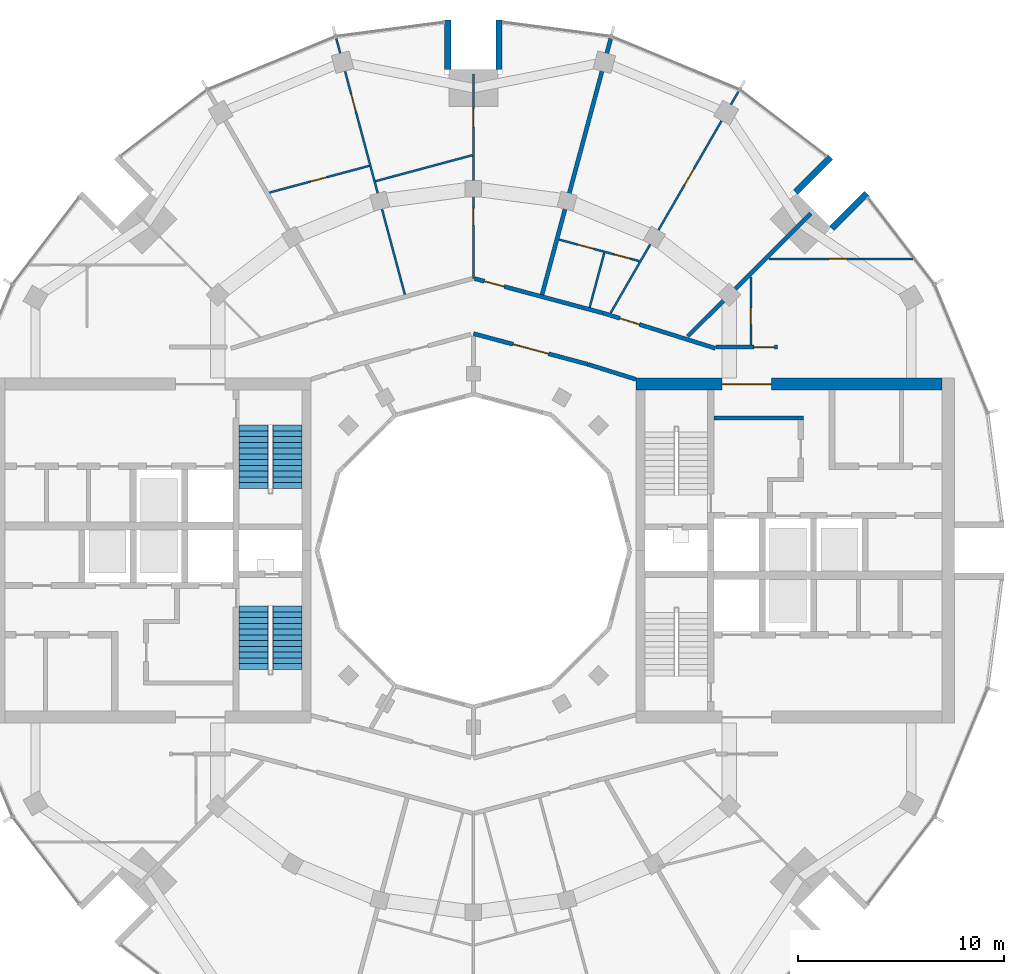
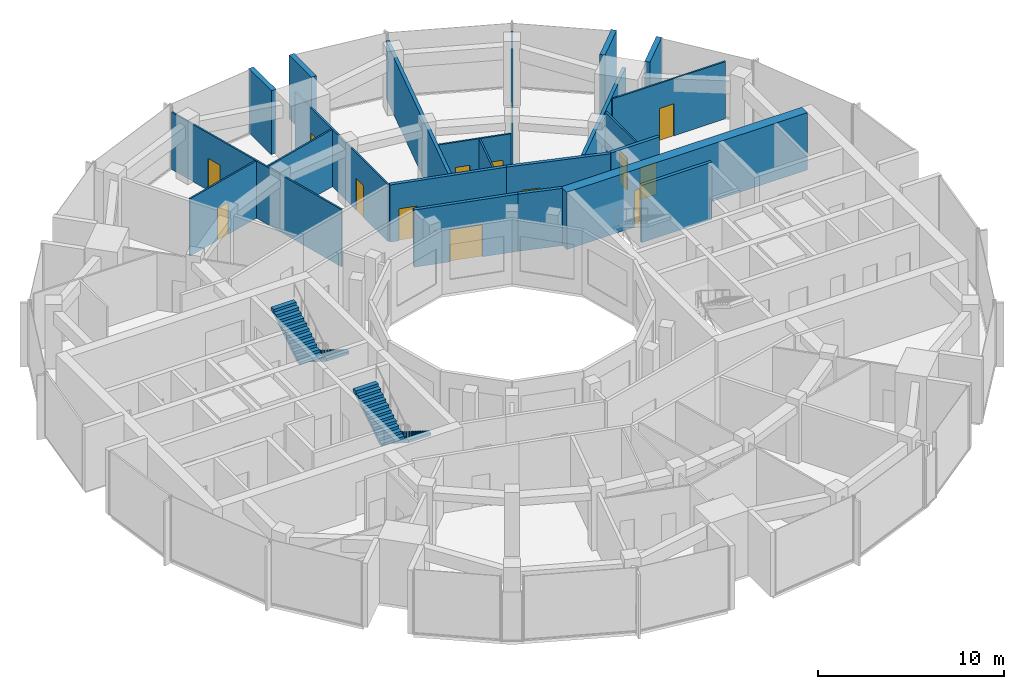
# One storey, part 12 of 15: 22 walls, 14 doors, 4 stair flights, 14 openings, 2 elements without a shape of their own.
"""IFC4 building model written with IfcOpenShell, lengths in metres."""

from ifc_helpers import new_model, si_unit, direction, frame, frame_2d, origin, place, context, subcontext, project, spatial, polyline, rectangle, outline, extrude, material, layer, layer_set, type_object, element, fill, aggregate, save


model = new_model("IFC4")

# Units and contexts
model_context = context("Model", 3, precision=1e-05, world=origin(), true_north=direction((0.0, 1.0)))
body_context = subcontext(model_context, "Body", "Model", "MODEL_VIEW")
ifc_project = project(units=[si_unit("LENGTHUNIT", "METRE"), si_unit("AREAUNIT", "SQUARE_METRE"), si_unit("VOLUMEUNIT", "CUBIC_METRE"), si_unit("PLANEANGLEUNIT", "RADIAN"), si_unit("MASSUNIT", "GRAM", prefix="KILO")], contexts=[model_context])

# Site, building, storey
site_placement = place(None, origin())
site = spatial("IfcSite", under=ifc_project, at=site_placement, CompositionType="ELEMENT")
building_placement = place(site_placement, origin())
building = spatial("IfcBuilding", under=site, at=building_placement, Name="Torre Brocal", CompositionType="ELEMENT")
storey_placement = place(building_placement, frame((0.0, 0.0, 266.699951171875)))
storey = spatial("IfcBuildingStorey", under=building, at=storey_placement, Name="L61", CompositionType="ELEMENT", Elevation=266.699951171875)

# Wall
ifc_material_1 = material(Name="Concrete C60", Category="concrete")
ifc_layer_1 = layer(ifc_material_1, 0.199951171875)
ifc_layer_set_1 = layer_set([ifc_layer_1], Name="Concrete C60")
wall_type_1 = type_object("IfcWallType", Name="CORE WALL 200 C60 UNDER 450 SLAB", PredefinedType="SHEAR", material=ifc_layer_set_1)
wall_1_placement = place(storey_placement, frame((91.699951171875, 81.449951171875, 0.0), z_axis=(0.0, 0.0, 1.0), x_axis=(1.0, 0.0, 0.0)))
element("IfcWall", 1, at=wall_1_placement, inside=storey, type_object=wall_type_1, Name="Wall CW200-60-S450", PredefinedType="SHEAR", context=body_context, shape_type="SweptSolid", body=[
    extrude(rectangle(XDim=4.35009765625, YDim=0.199951171875, at=frame_2d((2.175048828125, 0.0))), origin(), (0.0, 0.0, 1.0), 3.75),
])

# Wall, opening, door
ifc_material_2 = material(Name="Concrete C60", Category="concrete")
ifc_layer_2 = layer(ifc_material_2, 0.60009765625)
ifc_layer_set_2 = layer_set([ifc_layer_2], Name="Concrete C60")
wall_type_2 = type_object("IfcWallType", Name="CORE WALL 600 C60 UNDER 450 SLAB", PredefinedType="SHEAR", material=ifc_layer_set_2)
wall_2_placement = place(storey_placement, frame((87.89990234375, 83.10009765625, 0.0), z_axis=(0.0, 0.0, 1.0), x_axis=(1.0, 0.0, 0.0)))
wall_2 = element("IfcWall", 2, at=wall_2_placement, inside=storey, type_object=wall_type_2, Name="Wall CW600-60-S450", PredefinedType="SHEAR", context=body_context, shape_type="SweptSolid", body=[
    extrude(rectangle(XDim=14.900146484375, YDim=0.60009765625, at=frame_2d((7.4501953125, 0.0))), origin(), (0.0, 0.0, 1.0), 3.75),
])
opening_1_placement = place(wall_2_placement, frame((4.199951171875, 0.0, 0.0)))
opening_1 = element("IfcOpeningElement", 3, at=opening_1_placement, cuts=wall_2, Name="Opening E-D34", PredefinedType="OPENING", context=body_context, shape_type="SweptSolid", body=[
    extrude(rectangle(XDim=2.39990234375, YDim=2.39990234375, at=frame_2d((1.199951171875, 1.199951171875))), frame((0.0, 0.31005859375, 0.0), z_axis=(0.0, -1.0, 0.0), x_axis=(1.0, 0.0, 0.0)), (0.0, 0.0, 1.0), 0.6201171875),
])
ifc_material_3 = material(Name="Steel A653", Category="steel")
door_type_1 = type_object("IfcDoorType", Name="DOUBLE FIRE DOOR FD90 2400X2400", OperationType="DOUBLE_DOOR_SINGLE_SWING", PredefinedType="DOOR", material=ifc_material_3)
door_1_placement = place(opening_1_placement, frame((2.39990234375, 0.0, 0.0), z_axis=(0.0, 0.0, 1.0), x_axis=(-1.0, 0.0, 0.0)))
door_1 = element("IfcDoor", 4, at=door_1_placement, inside=storey, type_object=door_type_1, Name="Door E-D34", OperationType="DOUBLE_DOOR_SINGLE_SWING", OverallHeight=2.39990234375, OverallWidth=2.39990234375, PredefinedType="DOOR", context=body_context, shape_type="SweptSolid", body=[
    extrude(rectangle(XDim=2.39990234375, YDim=2.39990234375, at=frame_2d((1.199951171875, 1.199951171875))), frame((0.0, 0.02490234375, 0.0), z_axis=(0.0, -1.0, 0.0), x_axis=(1.0, 0.0, 0.0)), (0.0, 0.0, 1.0), 0.050048828125),
])
fill(opening_1, door_1)

# Walls
ifc_material_4 = material(Name="Concrete C60", Category="concrete")
ifc_layer_3 = layer(ifc_material_4, 0.300048828125)
ifc_layer_set_3 = layer_set([ifc_layer_3], Name="Concrete C60")
wall_type_3 = type_object("IfcWallType", Name="NOTCH RETURN WALL 300 C60", PredefinedType="NOTDEFINED", material=ifc_layer_set_3)
for number, where, z_axis, x_axis, name in (
    (5, (97.43017578125, 90.662353515625, 0.0), (0.0, 0.0, 1.0), (0.707106781187, 0.707106781187, 0.0), "NOTCH RETURN WALL"),
    (6, (95.662353515625, 92.43017578125, 0.0), (0.0, 0.0, 1.0), (0.707106781187, 0.707106781187, 0.0), "NOTCH RETURN WALL"),
    (7, (81.25, 98.39990234375, 0.0), (0.0, 0.0, 1.0), (0.0, 1.0, 0.0), "NOTCH RETURN WALL"),
    (8, (78.75, 98.39990234375, 0.0), (0.0, 0.0, 1.0), (0.0, 1.0, 0.0), "NOTCH RETURN WALL"),
):
    element("IfcWall", number, at=place(storey_placement, frame(where, z_axis=z_axis, x_axis=x_axis)), inside=storey, type_object=wall_type_3, Name=name, PredefinedType="NOTDEFINED", context=body_context, shape_type="SweptSolid", body=[
        extrude(rectangle(XDim=2.415771484375, YDim=0.300048828125, at=frame_2d((1.2080078125, 0.0))), origin(), (0.0, 0.0, 1.0), 4.199951171875),
    ])

# Wall, opening, door
ifc_material_5 = material(Name="Gypsum board", Category="Gypsum")
ifc_layer_4 = layer(ifc_material_5, 0.10009765625)
ifc_layer_set_4 = layer_set([ifc_layer_4], Name="Gypsum board")
wall_type_4 = type_object("IfcWallType", Name="PARTITION 100", PredefinedType="PARTITIONING", material=ifc_layer_set_4)
wall_3_placement = place(storey_placement, frame((70.076904296875, 92.419921875, 0.0), z_axis=(0.0, 0.0, 1.0), x_axis=(0.965977307762, 0.258626837138, 0.0)))
wall_3 = element("IfcWall", 9, at=wall_3_placement, inside=storey, type_object=wall_type_4, Name="BATHROOM WALL", PredefinedType="PARTITIONING", context=body_context, shape_type="SweptSolid", body=[
    extrude(rectangle(XDim=5.02685546875, YDim=0.10009765625, at=frame_2d((2.513427734375, 0.0))), origin(), (0.0, 0.0, 1.0), 3.75),
])
opening_2_placement = place(wall_3_placement, frame((2.078369140625, 0.0, 0.0)))
opening_2 = element("IfcOpeningElement", 10, at=opening_2_placement, cuts=wall_3, Name="Opening B05-D12", PredefinedType="OPENING", context=body_context, shape_type="SweptSolid", body=[
    extrude(rectangle(XDim=0.800048828125, YDim=2.10009765625, at=frame_2d((0.39990234375, 1.050048828125))), frame((0.0, 0.06005859375, 0.0), z_axis=(0.0, -1.0, 0.0), x_axis=(1.0, 0.0, 0.0)), (0.0, 0.0, 1.0), 0.1201171875),
])
ifc_material_6 = material(Name="Timber", Category="wood")
door_type_2 = type_object("IfcDoorType", Name="BATHROOM DOOR 800X2100", OperationType="SINGLE_SWING_LEFT", PredefinedType="DOOR", material=ifc_material_6)
door_2_placement = place(opening_2_placement, frame((0.800048828125, 0.0, 0.0), z_axis=(0.0, 0.0, 1.0), x_axis=(-1.0, 0.0, 0.0)))
door_2 = element("IfcDoor", 11, at=door_2_placement, inside=storey, type_object=door_type_2, Name="B05-D12", OperationType="SINGLE_SWING_RIGHT", OverallHeight=2.10009765625, OverallWidth=0.800048828125, PredefinedType="DOOR", context=body_context, shape_type="SweptSolid", body=[
    extrude(rectangle(XDim=0.800048828125, YDim=2.10009765625, at=frame_2d((0.39990234375, 1.050048828125))), frame((0.0, 0.02490234375, 0.0), z_axis=(0.0, -1.0, 0.0), x_axis=(1.0, 0.0, 0.0)), (0.0, 0.0, 1.0), 0.050048828125),
])
fill(opening_2, door_2)

wall_4_placement = place(storey_placement, frame((73.32470703125, 99.919677734375, 0.0), z_axis=(0.0, 0.0, 1.0), x_axis=(0.258732932804, -0.965948895896, 0.0)))
wall_4 = element("IfcWall", 12, at=wall_4_placement, inside=storey, type_object=wall_type_4, Name="BATHROOM WALL", PredefinedType="PARTITIONING", context=body_context, shape_type="SweptSolid", body=[
    extrude(rectangle(XDim=12.90380859375, YDim=0.10009765625, at=frame_2d((6.451904296875, 0.0))), origin(), (0.0, 0.0, 1.0), 3.75),
])
opening_3_placement = place(wall_4_placement, frame((2.787109375, 0.0, 0.0)))
opening_3 = element("IfcOpeningElement", 13, at=opening_3_placement, cuts=wall_4, Name="Opening B05-D11", PredefinedType="OPENING", context=body_context, shape_type="SweptSolid", body=[
    extrude(rectangle(XDim=0.89990234375, YDim=2.10009765625, at=frame_2d((0.449951171875, 1.050048828125))), frame((0.0, 0.06005859375, 0.0), z_axis=(0.0, -1.0, 0.0), x_axis=(1.0, 0.0, 0.0)), (0.0, 0.0, 1.0), 0.1201171875),
])
ifc_material_7 = material(Name="Timber", Category="wood")
door_type_3 = type_object("IfcDoorType", Name="ROOM DOOR 900X2100", OperationType="SINGLE_SWING_LEFT", PredefinedType="DOOR", material=ifc_material_7)
door_3_placement = place(opening_3_placement, frame((0.89990234375, 0.0, 0.0), z_axis=(0.0, 0.0, 1.0), x_axis=(-1.0, 0.0, 0.0)))
door_3 = element("IfcDoor", 14, at=door_3_placement, inside=storey, type_object=door_type_3, Name="B05-D11", OperationType="SINGLE_SWING_RIGHT", OverallHeight=2.10009765625, OverallWidth=0.89990234375, PredefinedType="DOOR", context=body_context, shape_type="SweptSolid", body=[
    extrude(rectangle(XDim=0.89990234375, YDim=2.10009765625, at=frame_2d((0.449951171875, 1.050048828125))), frame((0.0, 0.02490234375, 0.0), z_axis=(0.0, -1.0, 0.0), x_axis=(1.0, 0.0, 0.0)), (0.0, 0.0, 1.0), 0.050048828125),
])
fill(opening_3, door_3)

# Wall
wall_5_placement = place(storey_placement, frame((75.236328125, 92.972900390625, 0.0), z_axis=(0.0, 0.0, 1.0), x_axis=(0.965831212389, 0.259171891173, 0.0)))
element("IfcWall", 15, at=wall_5_placement, inside=storey, type_object=wall_type_4, Name="BATHROOM WALL", PredefinedType="PARTITIONING", context=body_context, shape_type="SweptSolid", body=[
    extrude(rectangle(XDim=4.8720703125, YDim=0.10009765625, at=frame_2d((2.43603515625, 0.0))), origin(), (0.0, 0.0, 1.0), 3.75),
])

# Wall, openings, doors
wall_6_placement = place(storey_placement, frame((80.0, 88.24609375, 0.0), z_axis=(0.0, 0.0, 1.0), x_axis=(0.0, 1.0, 0.0)))
wall_6 = element("IfcWall", 16, at=wall_6_placement, inside=storey, type_object=wall_type_4, Name="BATHROOM WALL", PredefinedType="PARTITIONING", context=body_context, shape_type="SweptSolid", body=[
    extrude(rectangle(XDim=9.953857421875, YDim=0.10009765625, at=frame_2d((4.97705078125, 0.0))), origin(), (0.0, 0.0, 1.0), 3.75),
])
opening_4_placement = place(wall_6_placement, frame((7.3544921875, 0.0, 0.0)))
opening_4 = element("IfcOpeningElement", 17, at=opening_4_placement, cuts=wall_6, Name="Opening B05-D09", PredefinedType="OPENING", context=body_context, shape_type="SweptSolid", body=[
    extrude(rectangle(XDim=0.89990234375, YDim=2.10009765625, at=frame_2d((0.449951171875, 1.050048828125))), frame((0.0, 0.06005859375, 0.0), z_axis=(0.0, -1.0, 0.0), x_axis=(1.0, 0.0, 0.0)), (0.0, 0.0, 1.0), 0.1201171875),
])
opening_5_placement = place(wall_6_placement, frame((2.6025390625, 0.0, 0.0)))
opening_5 = element("IfcOpeningElement", 18, at=opening_5_placement, cuts=wall_6, Name="Opening B05-D10", PredefinedType="OPENING", context=body_context, shape_type="SweptSolid", body=[
    extrude(rectangle(XDim=0.800048828125, YDim=2.10009765625, at=frame_2d((0.39990234375, 1.050048828125))), frame((0.0, 0.06005859375, 0.0), z_axis=(0.0, -1.0, 0.0), x_axis=(1.0, 0.0, 0.0)), (0.0, 0.0, 1.0), 0.1201171875),
])
door_4_placement = place(opening_5_placement, origin())
door_4 = element("IfcDoor", 19, at=door_4_placement, inside=storey, type_object=door_type_2, Name="B05-D10", OperationType="SINGLE_SWING_RIGHT", OverallHeight=2.10009765625, OverallWidth=0.800048828125, PredefinedType="DOOR", context=body_context, shape_type="SweptSolid", body=[
    extrude(rectangle(XDim=0.800048828125, YDim=2.10009765625, at=frame_2d((0.39990234375, 1.050048828125))), frame((0.0, 0.02490234375, 0.0), z_axis=(0.0, -1.0, 0.0), x_axis=(1.0, 0.0, 0.0)), (0.0, 0.0, 1.0), 0.050048828125),
])
fill(opening_5, door_4)
door_5_placement = place(opening_4_placement, origin())
door_5 = element("IfcDoor", 20, at=door_5_placement, inside=storey, type_object=door_type_3, Name="B05-D09", OperationType="SINGLE_SWING_LEFT", OverallHeight=2.10009765625, OverallWidth=0.89990234375, PredefinedType="DOOR", context=body_context, shape_type="SweptSolid", body=[
    extrude(rectangle(XDim=0.89990234375, YDim=2.10009765625, at=frame_2d((0.449951171875, 1.050048828125))), frame((0.0, 0.02490234375, 0.0), z_axis=(0.0, -1.0, 0.0), x_axis=(1.0, 0.0, 0.0)), (0.0, 0.0, 1.0), 0.050048828125),
])
fill(opening_4, door_5)

wall_7_placement = place(storey_placement, frame((84.168212890625, 90.130859375, 0.0), z_axis=(0.0, 0.0, 1.0), x_axis=(0.965828063097, -0.259183627055, 0.0)))
wall_7 = element("IfcWall", 21, at=wall_7_placement, inside=storey, type_object=wall_type_4, Name="BATHROOM WALL", PredefinedType="PARTITIONING", context=body_context, shape_type="SweptSolid", body=[
    extrude(rectangle(XDim=4.035400390625, YDim=0.10009765625, at=frame_2d((2.017578125, 0.0))), origin(), (0.0, 0.0, 1.0), 3.75),
])
opening_6_placement = place(wall_7_placement, frame((0.93994140625, 0.0, 0.0)))
opening_6 = element("IfcOpeningElement", 22, at=opening_6_placement, cuts=wall_7, Name="Opening B05-D06", PredefinedType="OPENING", context=body_context, shape_type="SweptSolid", body=[
    extrude(rectangle(XDim=0.800048828125, YDim=2.10009765625, at=frame_2d((0.39990234375, 1.050048828125))), frame((0.0, 0.06005859375, 0.0), z_axis=(0.0, -1.0, 0.0), x_axis=(1.0, 0.0, 0.0)), (0.0, 0.0, 1.0), 0.1201171875),
])
opening_7_placement = place(wall_7_placement, frame((2.79248046875, 0.0, 0.0)))
opening_7 = element("IfcOpeningElement", 23, at=opening_7_placement, cuts=wall_7, Name="Opening B05-D07", PredefinedType="OPENING", context=body_context, shape_type="SweptSolid", body=[
    extrude(rectangle(XDim=0.800048828125, YDim=2.10009765625, at=frame_2d((0.39990234375, 1.050048828125))), frame((0.0, 0.06005859375, 0.0), z_axis=(0.0, -1.0, 0.0), x_axis=(1.0, 0.0, 0.0)), (0.0, 0.0, 1.0), 0.1201171875),
])
door_6_placement = place(opening_6_placement, frame((0.800048828125, 0.0, 0.0), z_axis=(0.0, 0.0, 1.0), x_axis=(-1.0, 0.0, 0.0)))
door_6 = element("IfcDoor", 24, at=door_6_placement, inside=storey, type_object=door_type_2, Name="B05-D06", OperationType="SINGLE_SWING_LEFT", OverallHeight=2.10009765625, OverallWidth=0.800048828125, PredefinedType="DOOR", context=body_context, shape_type="SweptSolid", body=[
    extrude(rectangle(XDim=0.800048828125, YDim=2.10009765625, at=frame_2d((0.39990234375, 1.050048828125))), frame((0.0, 0.02490234375, 0.0), z_axis=(0.0, -1.0, 0.0), x_axis=(1.0, 0.0, 0.0)), (0.0, 0.0, 1.0), 0.050048828125),
])
fill(opening_6, door_6)
door_7_placement = place(opening_7_placement, frame((0.800048828125, 0.0, 0.0), z_axis=(0.0, 0.0, 1.0), x_axis=(-1.0, 0.0, 0.0)))
door_7 = element("IfcDoor", 25, at=door_7_placement, inside=storey, type_object=door_type_2, Name="B05-D07", OperationType="SINGLE_SWING_LEFT", OverallHeight=2.10009765625, OverallWidth=0.800048828125, PredefinedType="DOOR", context=body_context, shape_type="SweptSolid", body=[
    extrude(rectangle(XDim=0.800048828125, YDim=2.10009765625, at=frame_2d((0.39990234375, 1.050048828125))), frame((0.0, 0.02490234375, 0.0), z_axis=(0.0, -1.0, 0.0), x_axis=(1.0, 0.0, 0.0)), (0.0, 0.0, 1.0), 0.050048828125),
])
fill(opening_7, door_7)

# Wall
wall_8_placement = place(storey_placement, frame((85.655029296875, 86.833984375, 0.0), z_axis=(0.0, 0.0, 1.0), x_axis=(0.259005329799, 0.965875892201, 0.0)))
element("IfcWall", 26, at=wall_8_placement, inside=storey, type_object=wall_type_4, Name="BATHROOM WALL", PredefinedType="PARTITIONING", context=body_context, shape_type="SweptSolid", body=[
    extrude(rectangle(XDim=2.74951171875, YDim=0.10009765625, at=frame_2d((1.374755859375, 0.0))), origin(), (0.0, 0.0, 1.0), 3.75),
])

# Wall, opening, door
wall_9_placement = place(storey_placement, frame((86.6708984375, 86.55419921875, 0.0), z_axis=(0.0, 0.0, 1.0), x_axis=(0.500005228967, 0.866022384818, 0.0)))
wall_9 = element("IfcWall", 27, at=wall_9_placement, inside=storey, type_object=wall_type_4, Name="BATHROOM WALL", PredefinedType="PARTITIONING", context=body_context, shape_type="SweptSolid", body=[
    extrude(rectangle(XDim=12.455810546875, YDim=0.10009765625, at=frame_2d((6.22802734375, 0.0))), origin(), (0.0, 0.0, 1.0), 3.75),
])
opening_8_placement = place(wall_9_placement, frame((7.19580078125, 0.0, 0.0)))
opening_8 = element("IfcOpeningElement", 28, at=opening_8_placement, cuts=wall_9, Name="Opening B05-D05", PredefinedType="OPENING", context=body_context, shape_type="SweptSolid", body=[
    extrude(rectangle(XDim=0.89990234375, YDim=2.10009765625, at=frame_2d((0.449951171875, 1.050048828125))), frame((0.0, 0.06005859375, 0.0), z_axis=(0.0, -1.0, 0.0), x_axis=(1.0, 0.0, 0.0)), (0.0, 0.0, 1.0), 0.1201171875),
])
door_8_placement = place(opening_8_placement, frame((0.89990234375, 0.0, 0.0), z_axis=(0.0, 0.0, 1.0), x_axis=(-1.0, 0.0, 0.0)))
door_8 = element("IfcDoor", 29, at=door_8_placement, inside=storey, type_object=door_type_3, Name="B05-D05", OperationType="SINGLE_SWING_LEFT", OverallHeight=2.10009765625, OverallWidth=0.89990234375, PredefinedType="DOOR", context=body_context, shape_type="SweptSolid", body=[
    extrude(rectangle(XDim=0.89990234375, YDim=2.10009765625, at=frame_2d((0.449951171875, 1.050048828125))), frame((0.0, 0.02490234375, 0.0), z_axis=(0.0, -1.0, 0.0), x_axis=(1.0, 0.0, 0.0)), (0.0, 0.0, 1.0), 0.050048828125),
])
fill(opening_8, door_8)

wall_10_placement = place(storey_placement, frame((93.5, 85.0, 0.0), z_axis=(0.0, 0.0, 1.0), x_axis=(0.0, 1.0, 0.0)))
wall_10 = element("IfcWall", 30, at=wall_10_placement, inside=storey, type_object=wall_type_4, Name="BATHROOM WALL", PredefinedType="PARTITIONING", context=body_context, shape_type="SweptSolid", body=[
    extrude(rectangle(XDim=3.30908203125, YDim=0.10009765625, at=frame_2d((1.654541015625, 0.0))), origin(), (0.0, 0.0, 1.0), 3.75),
])
opening_9_placement = place(wall_10_placement, frame((1.0, 0.0, 0.0)))
opening_9 = element("IfcOpeningElement", 31, at=opening_9_placement, cuts=wall_10, Name="Opening B05-D03", PredefinedType="OPENING", context=body_context, shape_type="SweptSolid", body=[
    extrude(rectangle(XDim=0.800048828125, YDim=2.10009765625, at=frame_2d((0.39990234375, 1.050048828125))), frame((0.0, 0.06005859375, 0.0), z_axis=(0.0, -1.0, 0.0), x_axis=(1.0, 0.0, 0.0)), (0.0, 0.0, 1.0), 0.1201171875),
])
door_9_placement = place(opening_9_placement, origin())
door_9 = element("IfcDoor", 32, at=door_9_placement, inside=storey, type_object=door_type_2, Name="B05-D03", OperationType="SINGLE_SWING_LEFT", OverallHeight=2.10009765625, OverallWidth=0.800048828125, PredefinedType="DOOR", context=body_context, shape_type="SweptSolid", body=[
    extrude(rectangle(XDim=0.800048828125, YDim=2.10009765625, at=frame_2d((0.39990234375, 1.050048828125))), frame((0.0, 0.02490234375, 0.0), z_axis=(0.0, -1.0, 0.0), x_axis=(1.0, 0.0, 0.0)), (0.0, 0.0, 1.0), 0.050048828125),
])
fill(opening_9, door_9)

wall_11_placement = place(storey_placement, frame((94.37890625, 89.18798828125, 0.0), z_axis=(0.0, 0.0, 1.0), x_axis=(1.0, 0.0, 0.0)))
wall_11 = element("IfcWall", 33, at=wall_11_placement, inside=storey, type_object=wall_type_4, Name="ROOM PARTITION", PredefinedType="PARTITIONING", context=body_context, shape_type="SweptSolid", body=[
    extrude(rectangle(XDim=7.02099609375, YDim=0.10009765625, at=frame_2d((3.510498046875, 0.0))), origin(), (0.0, 0.0, 1.0), 3.75),
])
opening_10_placement = place(wall_11_placement, frame((2.91650390625, 0.0, 0.0)))
opening_10 = element("IfcOpeningElement", 34, at=opening_10_placement, cuts=wall_11, Name="Opening B05-D01", PredefinedType="OPENING", context=body_context, shape_type="SweptSolid", body=[
    extrude(rectangle(XDim=0.89990234375, YDim=2.10009765625, at=frame_2d((0.449951171875, 1.050048828125))), frame((0.0, 0.06005859375, 0.0), z_axis=(0.0, -1.0, 0.0), x_axis=(1.0, 0.0, 0.0)), (0.0, 0.0, 1.0), 0.1201171875),
])
door_10_placement = place(opening_10_placement, origin())
door_10 = element("IfcDoor", 35, at=door_10_placement, inside=storey, type_object=door_type_3, Name="B05-D01", OperationType="SINGLE_SWING_LEFT", OverallHeight=2.10009765625, OverallWidth=0.89990234375, PredefinedType="DOOR", context=body_context, shape_type="SweptSolid", body=[
    extrude(rectangle(XDim=0.89990234375, YDim=2.10009765625, at=frame_2d((0.449951171875, 1.050048828125))), frame((0.0, 0.02490234375, 0.0), z_axis=(0.0, -1.0, 0.0), x_axis=(1.0, 0.0, 0.0)), (0.0, 0.0, 1.0), 0.050048828125),
])
fill(opening_10, door_10)

ifc_material_8 = material(Name="Gypsum board", Category="Gypsum")
ifc_layer_5 = layer(ifc_material_8, 0.199951171875)
ifc_layer_set_5 = layer_set([ifc_layer_5], Name="Gypsum board")
wall_type_5 = type_object("IfcWallType", Name="PARTITION 200 EI60", PredefinedType="PARTITIONING", material=ifc_layer_set_5)
wall_12_placement = place(storey_placement, frame((80.04833984375, 88.2333984375, 0.0), z_axis=(0.0, 0.0, 1.0), x_axis=(0.965867917069, -0.259035068625, 0.0)))
wall_12 = element("IfcWall", 36, at=wall_12_placement, inside=storey, type_object=wall_type_5, Name="FLAT ENTRANCE WALL", PredefinedType="PARTITIONING", context=body_context, shape_type="SweptSolid", body=[
    extrude(rectangle(XDim=6.475830078125, YDim=0.199951171875, at=frame_2d((3.23779296875, 0.0))), origin(), (0.0, 0.0, 1.0), 3.75),
])
opening_11_placement = place(wall_12_placement, frame((0.5, 0.0, 0.0)))
opening_11 = element("IfcOpeningElement", 37, at=opening_11_placement, cuts=wall_12, Name="Opening B05-D08", PredefinedType="OPENING", context=body_context, shape_type="SweptSolid", body=[
    extrude(rectangle(XDim=1.0, YDim=2.10009765625, at=frame_2d((0.5, 1.050048828125))), frame((0.0, 0.10986328125, 0.0), z_axis=(0.0, -1.0, 0.0), x_axis=(1.0, 0.0, 0.0)), (0.0, 0.0, 1.0), 0.219970703125),
])
ifc_material_9 = material(Name="Timber", Category="wood")
door_type_4 = type_object("IfcDoorType", Name="FLAT ENTRY DOOR FD30S 1000X2100", OperationType="SINGLE_SWING_RIGHT", PredefinedType="DOOR", material=ifc_material_9)
door_11_placement = place(opening_11_placement, origin())
door_11 = element("IfcDoor", 38, at=door_11_placement, inside=storey, type_object=door_type_4, Name="B05-D08", OperationType="SINGLE_SWING_LEFT", OverallHeight=2.10009765625, OverallWidth=1.0, PredefinedType="DOOR", context=body_context, shape_type="SweptSolid", body=[
    extrude(rectangle(XDim=1.0, YDim=2.10009765625, at=frame_2d((0.5, 1.050048828125))), frame((0.0, 0.02490234375, 0.0), z_axis=(0.0, -1.0, 0.0), x_axis=(1.0, 0.0, 0.0)), (0.0, 0.0, 1.0), 0.050048828125),
])
fill(opening_11, door_11)

wall_13_placement = place(storey_placement, frame((80.0009765625, 85.553955078125, 0.0), z_axis=(0.0, 0.0, 1.0), x_axis=(0.965917658836, -0.258849524528, 0.0)))
wall_13 = element("IfcWall", 39, at=wall_13_placement, inside=storey, type_object=wall_type_5, Name="CORRIDOR WALL", PredefinedType="PARTITIONING", context=body_context, shape_type="SweptSolid", body=[
    extrude(rectangle(XDim=5.773193359375, YDim=0.199951171875, at=frame_2d((2.88671875, 0.0))), origin(), (0.0, 0.0, 1.0), 3.75),
])
opening_12_placement = place(wall_13_placement, frame((1.9912109375, 0.0, 0.0)))
opening_12 = element("IfcOpeningElement", 40, at=opening_12_placement, cuts=wall_13, Name="Opening B05-D17", PredefinedType="OPENING", context=body_context, shape_type="SweptSolid", body=[
    extrude(rectangle(XDim=1.800048828125, YDim=2.10009765625, at=frame_2d((0.89990234375, 1.050048828125))), frame((0.0, 0.10986328125, 0.0), z_axis=(0.0, -1.0, 0.0), x_axis=(1.0, 0.0, 0.0)), (0.0, 0.0, 1.0), 0.219970703125),
])
ifc_material_10 = material(Name="Timber", Category="wood")
door_type_5 = type_object("IfcDoorType", Name="DOUBLE DOOR 1800X2100", OperationType="DOUBLE_DOOR_SINGLE_SWING", PredefinedType="DOOR", material=ifc_material_10)
door_12_placement = place(opening_12_placement, frame((1.800048828125, 0.0, 0.0), z_axis=(0.0, 0.0, 1.0), x_axis=(-1.0, 0.0, 0.0)))
door_12 = element("IfcDoor", 41, at=door_12_placement, inside=storey, type_object=door_type_5, Name="B05-D17", OperationType="DOUBLE_DOOR_SINGLE_SWING", OverallHeight=2.10009765625, OverallWidth=1.800048828125, PredefinedType="DOOR", context=body_context, shape_type="SweptSolid", body=[
    extrude(rectangle(XDim=1.800048828125, YDim=2.10009765625, at=frame_2d((0.89990234375, 1.050048828125))), frame((0.0, 0.02490234375, 0.0), z_axis=(0.0, -1.0, 0.0), x_axis=(1.0, 0.0, 0.0)), (0.0, 0.0, 1.0), 0.050048828125),
])
fill(opening_12, door_12)

# Walls
wall_14_placement = place(storey_placement, frame((83.340576171875, 87.4541015625, 0.0), z_axis=(0.0, 0.0, 1.0), x_axis=(0.258971872038, 0.965884863477, 0.0)))
element("IfcWall", 42, at=wall_14_placement, inside=storey, type_object=wall_type_5, Name="BATHROOM WALL", PredefinedType="PARTITIONING", context=body_context, shape_type="SweptSolid", body=[
    extrude(rectangle(XDim=12.904052734375, YDim=0.199951171875, at=frame_2d((6.4521484375, 0.0))), origin(), (0.0, 0.0, 1.0), 3.75),
])
wall_15_placement = place(storey_placement, frame((85.5869140625, 84.056884765625, 0.0), z_axis=(0.0, 0.0, 1.0), x_axis=(0.954210767728, -0.299135104513, 0.0)))
element("IfcWall", 43, at=wall_15_placement, inside=storey, type_object=wall_type_5, Name="CORRIDOR WALL", PredefinedType="PARTITIONING", context=body_context, shape_type="SweptSolid", body=[
    extrude(rectangle(XDim=2.424072265625, YDim=0.199951171875, at=frame_2d((1.2119140625, 0.0))), origin(), (0.0, 0.0, 1.0), 3.75),
])

# Wall, opening, door
wall_16_placement = place(storey_placement, frame((86.31298828125, 86.554443359375, 0.0), z_axis=(0.0, 0.0, 1.0), x_axis=(0.954081217458, -0.299548043717, 0.0)))
wall_16 = element("IfcWall", 44, at=wall_16_placement, inside=storey, type_object=wall_type_5, Name="FLAT ENTRANCE WALL", PredefinedType="PARTITIONING", context=body_context, shape_type="SweptSolid", body=[
    extrude(rectangle(XDim=5.720703125, YDim=0.199951171875, at=frame_2d((2.8603515625, 0.0))), origin(), (0.0, 0.0, 1.0), 3.75),
])
opening_13_placement = place(wall_16_placement, frame((0.84765625, 0.0, 0.0)))
opening_13 = element("IfcOpeningElement", 45, at=opening_13_placement, cuts=wall_16, Name="Opening B05-D04", PredefinedType="OPENING", context=body_context, shape_type="SweptSolid", body=[
    extrude(rectangle(XDim=1.0, YDim=2.10009765625, at=frame_2d((0.5, 1.050048828125))), frame((0.0, 0.10986328125, 0.0), z_axis=(0.0, -1.0, 0.0), x_axis=(1.0, 0.0, 0.0)), (0.0, 0.0, 1.0), 0.219970703125),
])
door_13_placement = place(opening_13_placement, origin())
door_13 = element("IfcDoor", 46, at=door_13_placement, inside=storey, type_object=door_type_4, Name="B05-D04", OperationType="SINGLE_SWING_LEFT", OverallHeight=2.10009765625, OverallWidth=1.0, PredefinedType="DOOR", context=body_context, shape_type="SweptSolid", body=[
    extrude(rectangle(XDim=1.0, YDim=2.10009765625, at=frame_2d((0.5, 1.050048828125))), frame((0.0, 0.02490234375, 0.0), z_axis=(0.0, -1.0, 0.0), x_axis=(1.0, 0.0, 0.0)), (0.0, 0.0, 1.0), 0.050048828125),
])
fill(opening_13, door_13)

# Wall
wall_17_placement = place(storey_placement, frame((90.418212890625, 85.4140625, 0.0), z_axis=(0.0, 0.0, 1.0), x_axis=(0.707265310761, 0.706948216063, 0.0)))
element("IfcWall", 47, at=wall_17_placement, inside=storey, type_object=wall_type_5, Name="BATHROOM WALL", PredefinedType="PARTITIONING", context=body_context, shape_type="SweptSolid", body=[
    extrude(rectangle(XDim=8.46923828125, YDim=0.199951171875, at=frame_2d((4.234619140625, 0.0))), origin(), (0.0, 0.0, 1.0), 3.75),
])

# Wall, opening, door
wall_18_placement = place(storey_placement, frame((91.800048828125, 84.89990234375, 0.0), z_axis=(0.0, 0.0, 1.0), x_axis=(1.0, 0.0, 0.0)))
wall_18 = element("IfcWall", 48, at=wall_18_placement, inside=storey, type_object=wall_type_5, Name="FLAT ENTRANCE WALL", PredefinedType="PARTITIONING", context=body_context, shape_type="SweptSolid", body=[
    extrude(rectangle(XDim=3.0, YDim=0.199951171875, at=frame_2d((1.5, 0.0))), origin(), (0.0, 0.0, 1.0), 3.75),
])
opening_14_placement = place(wall_18_placement, frame((1.840087890625, 0.0, 0.0)))
opening_14 = element("IfcOpeningElement", 49, at=opening_14_placement, cuts=wall_18, Name="Opening B05-D02", PredefinedType="OPENING", context=body_context, shape_type="SweptSolid", body=[
    extrude(rectangle(XDim=1.0, YDim=2.10009765625, at=frame_2d((0.5, 1.050048828125))), frame((0.0, 0.10986328125, 0.0), z_axis=(0.0, -1.0, 0.0), x_axis=(1.0, 0.0, 0.0)), (0.0, 0.0, 1.0), 0.219970703125),
])
door_14_placement = place(opening_14_placement, origin())
door_14 = element("IfcDoor", 50, at=door_14_placement, inside=storey, type_object=door_type_4, Name="B05-D02", OperationType="SINGLE_SWING_LEFT", OverallHeight=2.10009765625, OverallWidth=1.0, PredefinedType="DOOR", context=body_context, shape_type="SweptSolid", body=[
    extrude(rectangle(XDim=1.0, YDim=2.10009765625, at=frame_2d((0.5, 1.050048828125))), frame((0.0, 0.02490234375, 0.0), z_axis=(0.0, -1.0, 0.0), x_axis=(1.0, 0.0, 0.0)), (0.0, 0.0, 1.0), 0.050048828125),
])
fill(opening_14, door_14)

# Stair, stair flights
ifc_material_11 = material(Name="Concrete C50", Category="concrete")
stair_type = type_object("IfcStairType", Name="EXIT STAIR", PredefinedType="HALF_TURN_STAIR", material=ifc_material_11)
stair_1_placement = place(storey_placement, origin())
stair_1 = element("IfcStair", 51, at=stair_1_placement, inside=storey, type_object=stair_type, Name="EXIT STAIR ST3", PredefinedType="HALF_TURN_STAIR")
ifc_material_12 = material(Name="Concrete C50", Category="concrete")
ifc_layer_6 = layer(ifc_material_12, 0.14990234375)
ifc_layer_set_6 = layer_set([ifc_layer_6], Name="Concrete C50")
stair_flight_type = type_object("IfcStairFlightType", Name="STAIR FLIGHT", PredefinedType="STRAIGHT", material=ifc_layer_set_6)
stair_flight_1_placement = place(storey_placement, frame((70.949951171875, 72.300048828125, 0.0), z_axis=(0.0, 0.0, 1.0), x_axis=(0.0, -1.0, 0.0)))
stair_flight_1 = element("IfcStairFlight", 52, at=stair_flight_1_placement, type_object=stair_flight_type, Name="ST3 flight 1", NumberOfRisers=12, NumberOfTreads=11, PredefinedType="STRAIGHT", RiserHeight=0.175, TreadLength=0.28, context=body_context, shape_type="SweptSolid", body=[
    extrude(outline(polyline([(0.0, 0.0), (0.0, 0.175048828125), (0.280029296875, 0.175048828125), (0.280029296875, 0.35009765625), (0.56005859375, 0.35009765625), (0.56005859375, 0.52490234375), (0.840087890625, 0.52490234375), (0.840087890625, 0.699951171875), (1.1201171875, 0.699951171875), (1.1201171875, 0.875), (1.39990234375, 0.875), (1.39990234375, 1.050048828125), (1.679931640625, 1.050048828125), (1.679931640625, 1.22509765625), (1.9599609375, 1.22509765625), (1.9599609375, 1.39990234375), (2.239990234375, 1.39990234375), (2.239990234375, 1.574951171875), (2.52001953125, 1.574951171875), (2.52001953125, 1.75), (2.800048828125, 1.75), (2.800048828125, 1.925048828125), (3.080078125, 1.925048828125), (3.080078125, 2.10009765625), (3.080078125, 1.748291015625), (0.28271484375, 0.0), (0.0, 0.0)])), frame((0.0, 0.699951171875, 0.0), z_axis=(0.0, -1.0, 0.0), x_axis=(1.0, 0.0, 0.0)), (0.0, 0.0, 1.0), 1.39990234375),
])
stair_flight_2_placement = place(storey_placement, frame((69.300048828125, 69.219970703125, 2.10009765625), z_axis=(0.0, 0.0, 1.0), x_axis=(0.0, 1.0, 0.0)))
stair_flight_2 = element("IfcStairFlight", 53, at=stair_flight_2_placement, type_object=stair_flight_type, Name="ST3 flight 2", NumberOfRisers=12, NumberOfTreads=11, PredefinedType="STRAIGHT", RiserHeight=0.175, TreadLength=0.28, context=body_context, shape_type="SweptSolid", body=[
    extrude(outline(polyline([(0.0, 0.0), (0.0, 0.175048828125), (0.280029296875, 0.175048828125), (0.280029296875, 0.35009765625), (0.56005859375, 0.35009765625), (0.56005859375, 0.52490234375), (0.840087890625, 0.52490234375), (0.840087890625, 0.699951171875), (1.1201171875, 0.699951171875), (1.1201171875, 0.875), (1.39990234375, 0.875), (1.39990234375, 1.050048828125), (1.679931640625, 1.050048828125), (1.679931640625, 1.22509765625), (1.9599609375, 1.22509765625), (1.9599609375, 1.39990234375), (2.239990234375, 1.39990234375), (2.239990234375, 1.574951171875), (2.52001953125, 1.574951171875), (2.52001953125, 1.75), (2.800048828125, 1.75), (2.800048828125, 1.925048828125), (3.080078125, 1.925048828125), (3.080078125, 2.10009765625), (3.080078125, 1.748291015625), (0.28271484375, 0.0), (0.0, 0.0)])), frame((0.0, 0.699951171875, 0.0), z_axis=(0.0, -1.0, 0.0), x_axis=(1.0, 0.0, 0.0)), (0.0, 0.0, 1.0), 1.39990234375),
])
aggregate(stair_1, [stair_flight_1, stair_flight_2])

stair_2_placement = place(storey_placement, origin())
stair_2 = element("IfcStair", 54, at=stair_2_placement, inside=storey, type_object=stair_type, Name="EXIT STAIR ST4", PredefinedType="HALF_TURN_STAIR")
stair_flight_3_placement = place(storey_placement, frame((70.949951171875, 81.10009765625, 0.0), z_axis=(0.0, 0.0, 1.0), x_axis=(0.0, -1.0, 0.0)))
stair_flight_3 = element("IfcStairFlight", 55, at=stair_flight_3_placement, type_object=stair_flight_type, Name="ST4 flight 1", NumberOfRisers=12, NumberOfTreads=11, PredefinedType="STRAIGHT", RiserHeight=0.175, TreadLength=0.28, context=body_context, shape_type="SweptSolid", body=[
    extrude(outline(polyline([(0.0, 0.0), (0.0, 0.175048828125), (0.280029296875, 0.175048828125), (0.280029296875, 0.35009765625), (0.56005859375, 0.35009765625), (0.56005859375, 0.52490234375), (0.840087890625, 0.52490234375), (0.840087890625, 0.699951171875), (1.1201171875, 0.699951171875), (1.1201171875, 0.875), (1.39990234375, 0.875), (1.39990234375, 1.050048828125), (1.679931640625, 1.050048828125), (1.679931640625, 1.22509765625), (1.9599609375, 1.22509765625), (1.9599609375, 1.39990234375), (2.239990234375, 1.39990234375), (2.239990234375, 1.574951171875), (2.52001953125, 1.574951171875), (2.52001953125, 1.75), (2.800048828125, 1.75), (2.800048828125, 1.925048828125), (3.080078125, 1.925048828125), (3.080078125, 2.10009765625), (3.080078125, 1.748291015625), (0.28271484375, 0.0), (0.0, 0.0)])), frame((0.0, 0.699951171875, 0.0), z_axis=(0.0, -1.0, 0.0), x_axis=(1.0, 0.0, 0.0)), (0.0, 0.0, 1.0), 1.39990234375),
])
stair_flight_4_placement = place(storey_placement, frame((69.300048828125, 78.02001953125, 2.10009765625), z_axis=(0.0, 0.0, 1.0), x_axis=(0.0, 1.0, 0.0)))
stair_flight_4 = element("IfcStairFlight", 56, at=stair_flight_4_placement, type_object=stair_flight_type, Name="ST4 flight 2", NumberOfRisers=12, NumberOfTreads=11, PredefinedType="STRAIGHT", RiserHeight=0.175, TreadLength=0.28, context=body_context, shape_type="SweptSolid", body=[
    extrude(outline(polyline([(0.0, 0.0), (0.0, 0.175048828125), (0.280029296875, 0.175048828125), (0.280029296875, 0.35009765625), (0.56005859375, 0.35009765625), (0.56005859375, 0.52490234375), (0.840087890625, 0.52490234375), (0.840087890625, 0.699951171875), (1.1201171875, 0.699951171875), (1.1201171875, 0.875), (1.39990234375, 0.875), (1.39990234375, 1.050048828125), (1.679931640625, 1.050048828125), (1.679931640625, 1.22509765625), (1.9599609375, 1.22509765625), (1.9599609375, 1.39990234375), (2.239990234375, 1.39990234375), (2.239990234375, 1.574951171875), (2.52001953125, 1.574951171875), (2.52001953125, 1.75), (2.800048828125, 1.75), (2.800048828125, 1.925048828125), (3.080078125, 1.925048828125), (3.080078125, 2.10009765625), (3.080078125, 1.748291015625), (0.28271484375, 0.0), (0.0, 0.0)])), frame((0.0, 0.699951171875, 0.0), z_axis=(0.0, -1.0, 0.0), x_axis=(1.0, 0.0, 0.0)), (0.0, 0.0, 1.0), 1.39990234375),
])
aggregate(stair_2, [stair_flight_3, stair_flight_4])

save(model, "model.ifc")
